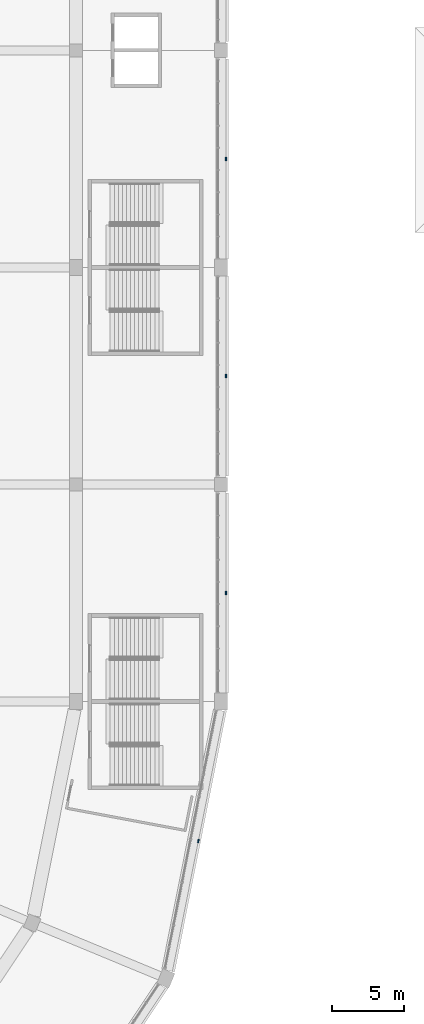
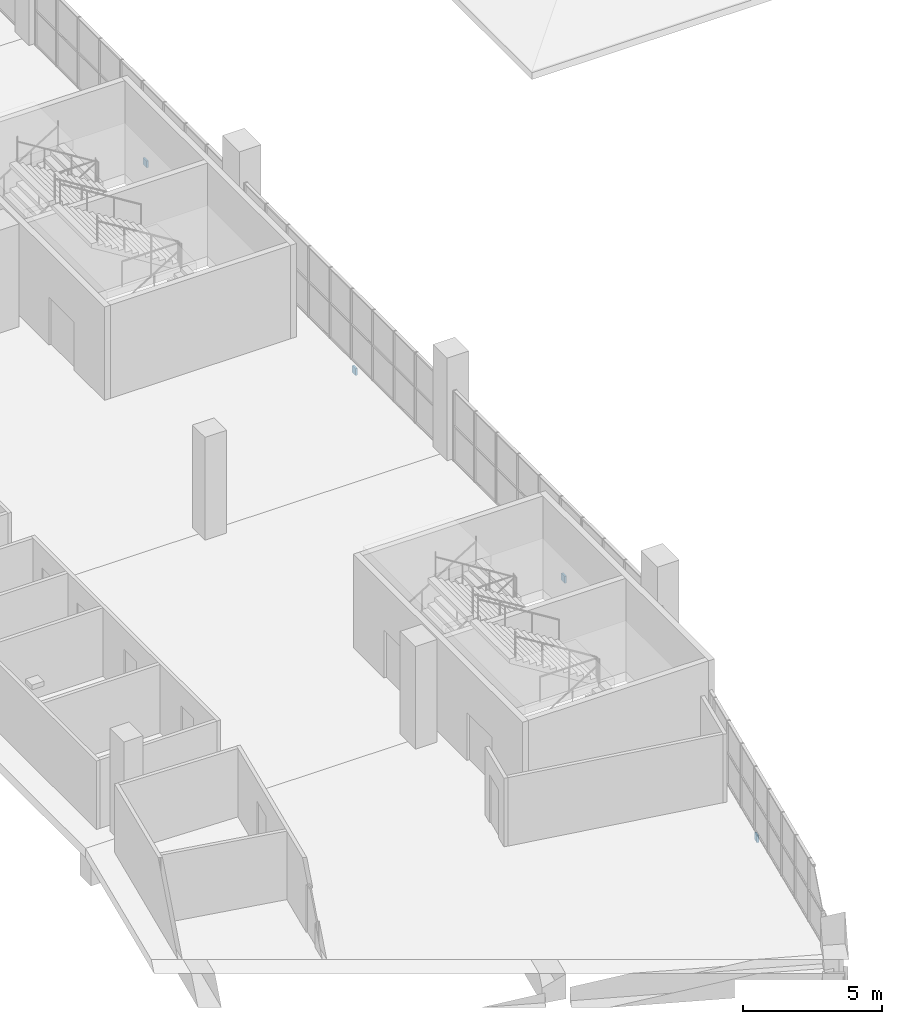
# One storey, part 97 of 199: 4 discrete accessories.
"""IFC4 building model written with IfcOpenShell, lengths in metres."""

from ifc_helpers import new_model, si_unit, direction, frame, origin, origin_2d, place, context, subcontext, project, spatial, rectangle, extrude, material, layer, layer_set, type_object, element, save


model = new_model("IFC4")

# Units and contexts
model_context = context("Model", 3, precision=1e-05, world=origin(), true_north=direction((0.0, 1.0)))
body_context = subcontext(model_context, "Body", "Model", "MODEL_VIEW")
ifc_project = project(units=[si_unit("LENGTHUNIT", "METRE"), si_unit("AREAUNIT", "SQUARE_METRE"), si_unit("VOLUMEUNIT", "CUBIC_METRE"), si_unit("PLANEANGLEUNIT", "RADIAN"), si_unit("MASSUNIT", "GRAM", prefix="KILO")], contexts=[model_context])

# Site, building, storey
site_placement = place(None, origin())
site = spatial("IfcSite", under=ifc_project, at=site_placement, CompositionType="ELEMENT")
building_placement = place(site_placement, origin())
building = spatial("IfcBuilding", under=site, at=building_placement, Name="Ogive Plaza Stadium", CompositionType="ELEMENT")
storey_placement = place(building_placement, frame((0.0, 0.0, 4.5)))
storey = spatial("IfcBuildingStorey", under=building, at=storey_placement, Name="L01", CompositionType="ELEMENT", Elevation=4.5)

# Discrete accessories
ifc_material = material(Name="Steel ASTM A572 Grade 50", Category="steel")
ifc_layer = layer(ifc_material, 0.080078125)
ifc_layer_set = layer_set([ifc_layer], Name="Steel ASTM A572 Grade 50")
discrete_accessory_type = type_object("IfcDiscreteAccessoryType", Name="Spandrel cladding bracket 250x300", PredefinedType="BRACKET", material=ifc_layer_set)
for number, where, z_axis, x_axis, name in (
    (1, (84.35009765625, -15.0, -1.31005859375), (0.0, 0.0, 1.0), (0.0, -1.0, 0.0), "SPANDREL BRACKET B05 L01"),
    (2, (84.35009765625, -30.0, -1.31005859375), (0.0, 0.0, 1.0), (0.0, -1.0, 0.0), "SPANDREL BRACKET B06 L01"),
    (3, (84.35009765625, -45.0, -1.31005859375), (0.0, 0.0, 1.0), (0.0, -1.0, 0.0), "SPANDREL BRACKET B07 L01"),
    (4, (82.440185546875, -62.135498046875, -1.60986328125), (0.0, 0.0, 1.0), (-0.195090322016, -0.980785280403, 0.0), "SPANDREL BRACKET B08 L01"),
):
    element("IfcDiscreteAccessory", number, at=place(storey_placement, frame(where, z_axis=z_axis, x_axis=x_axis)), inside=storey, type_object=discrete_accessory_type, Name=name, PredefinedType="BRACKET", context=body_context, shape_type="SweptSolid", body=[
        extrude(rectangle(XDim=0.25, YDim=0.080078125, at=origin_2d()), origin(), (0.0, 0.0, 1.0), 0.300048828125),
    ])

save(model, "model.ifc")
